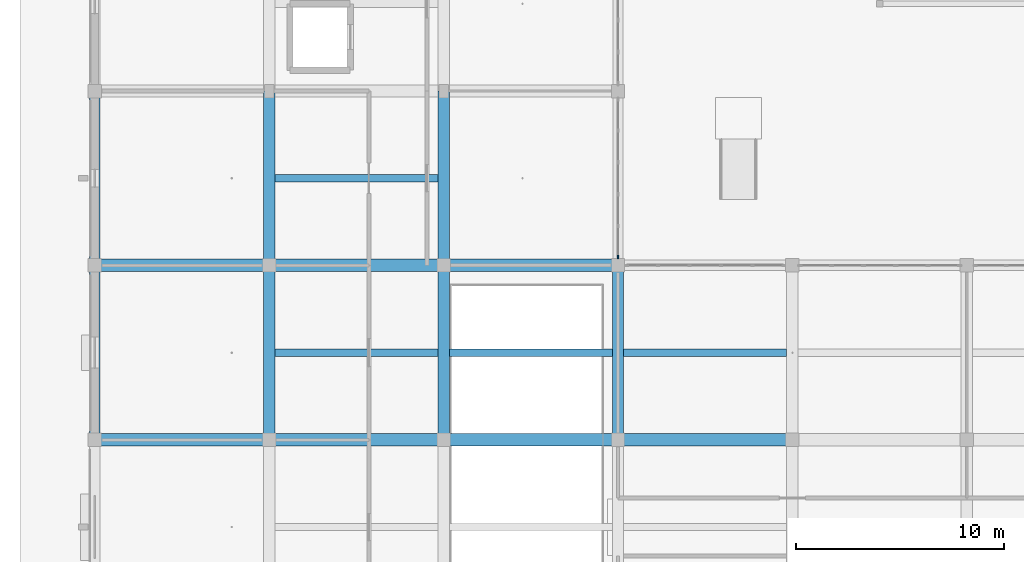
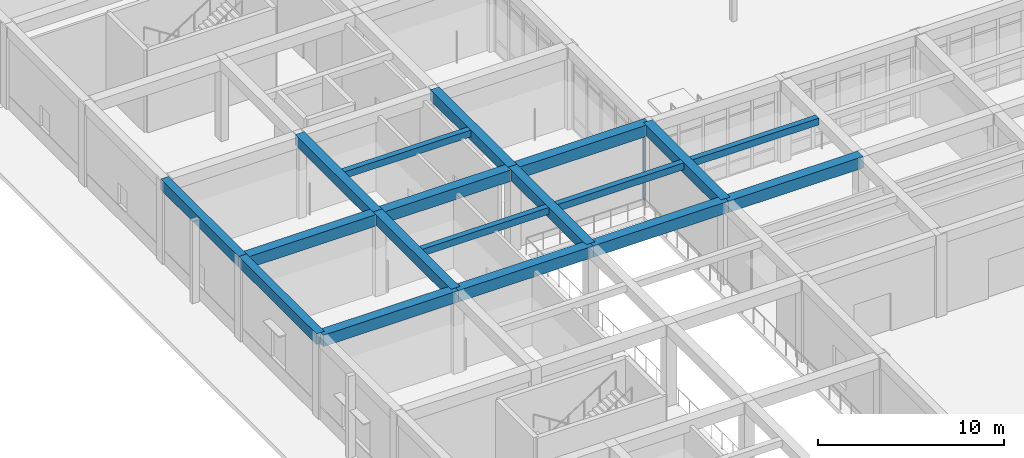
# One storey, part 12 of 167: 18 beams, 1 member, 1 element without a shape of its own.
"""IFC4 building model written with IfcOpenShell, lengths in metres."""

from ifc_helpers import new_model, si_unit, direction, frame, origin, origin_2d, place, context, subcontext, project, spatial, rectangle, extrude, material, material_profile, profile_set, type_object, element, aggregate, save


model = new_model("IFC4")

# Units and contexts
model_context = context("Model", 3, precision=1e-05, world=origin(), true_north=direction((0.0, 1.0)))
body_context = subcontext(model_context, "Body", "Model", "MODEL_VIEW")
ifc_project = project(units=[si_unit("LENGTHUNIT", "METRE"), si_unit("AREAUNIT", "SQUARE_METRE"), si_unit("VOLUMEUNIT", "CUBIC_METRE"), si_unit("PLANEANGLEUNIT", "RADIAN"), si_unit("MASSUNIT", "GRAM", prefix="KILO")], contexts=[model_context])

# Site, building, storey
site_placement = place(None, origin())
site = spatial("IfcSite", under=ifc_project, at=site_placement, CompositionType="ELEMENT")
building_placement = place(site_placement, origin())
building = spatial("IfcBuilding", under=site, at=building_placement, Name="Varncliffe General Hospital", CompositionType="ELEMENT")
storey_placement = place(building_placement, origin())
storey = spatial("IfcBuildingStorey", under=building, at=storey_placement, Name="L00", CompositionType="ELEMENT", Elevation=0.0)

# Beams
ifc_material_1 = material(Name="Concrete C35/45 (CSA A23.1 35 MPa)", Category="concrete")
ifc_material_profile_1 = material_profile(ifc_material_1, rectangle(XDim=0.60009765625, YDim=0.75, at=origin_2d()), Name="RC 600x750")
ifc_profile_set_1 = profile_set([ifc_material_profile_1], Name="Concrete C35/45 (CSA A23.1 35 MPa)")
beam_type_1 = type_object("IfcBeamType", Name="Beam B23 (Int RC 600x750)", PredefinedType="BEAM", material=ifc_profile_set_1)
beam_1_placement = place(storey_placement, frame((0.0, 32.39990234375, 5.02490234375), z_axis=(1.0, 0.0, 0.0), x_axis=(0.0, 1.0, 0.0)))
element("IfcBeam", 1, at=beam_1_placement, inside=storey, type_object=beam_type_1, Name="L00 Primary Beam B23-40", PredefinedType="BEAM", context=body_context, shape_type="SweptSolid", body=[
    extrude(rectangle(XDim=0.60009765625, YDim=0.75, at=origin_2d()), origin(), (0.0, 0.0, 1.0), 8.39990234375),
])
beam_2_placement = place(storey_placement, frame((8.39990234375, 32.39990234375, 5.02490234375), z_axis=(1.0, 0.0, 0.0), x_axis=(0.0, 1.0, 0.0)))
element("IfcBeam", 2, at=beam_2_placement, inside=storey, type_object=beam_type_1, Name="L00 Primary Beam B23-41", PredefinedType="BEAM", context=body_context, shape_type="SweptSolid", body=[
    extrude(rectangle(XDim=0.60009765625, YDim=0.75, at=origin_2d()), origin(), (0.0, 0.0, 1.0), 8.400146484375),
])
beam_3_placement = place(storey_placement, frame((16.800048828125, 32.39990234375, 5.02490234375), z_axis=(1.0, 0.0, 0.0), x_axis=(0.0, 1.0, 0.0)))
element("IfcBeam", 3, at=beam_3_placement, inside=storey, type_object=beam_type_1, Name="L00 Primary Beam B23-42", PredefinedType="BEAM", context=body_context, shape_type="SweptSolid", body=[
    extrude(rectangle(XDim=0.60009765625, YDim=0.75, at=origin_2d()), origin(), (0.0, 0.0, 1.0), 8.39990234375),
])
beam_4_placement = place(storey_placement, frame((25.199951171875, 32.39990234375, 5.02490234375), z_axis=(1.0, 0.0, 0.0), x_axis=(0.0, 1.0, 0.0)))
element("IfcBeam", 4, at=beam_4_placement, inside=storey, type_object=beam_type_1, Name="L00 Primary Beam B23-43", PredefinedType="BEAM", context=body_context, shape_type="SweptSolid", body=[
    extrude(rectangle(XDim=0.60009765625, YDim=0.75, at=origin_2d()), origin(), (0.0, 0.0, 1.0), 8.400146484375),
])
beam_5_placement = place(storey_placement, frame((0.0, 40.800048828125, 5.02490234375), z_axis=(1.0, 0.0, 0.0), x_axis=(0.0, 1.0, 0.0)))
element("IfcBeam", 5, at=beam_5_placement, inside=storey, type_object=beam_type_1, Name="L00 Primary Beam B23-53", PredefinedType="BEAM", context=body_context, shape_type="SweptSolid", body=[
    extrude(rectangle(XDim=0.60009765625, YDim=0.75, at=origin_2d()), origin(), (0.0, 0.0, 1.0), 8.39990234375),
])
beam_6_placement = place(storey_placement, frame((8.39990234375, 40.800048828125, 5.02490234375), z_axis=(1.0, 0.0, 0.0), x_axis=(0.0, 1.0, 0.0)))
element("IfcBeam", 6, at=beam_6_placement, inside=storey, type_object=beam_type_1, Name="L00 Primary Beam B23-54", PredefinedType="BEAM", context=body_context, shape_type="SweptSolid", body=[
    extrude(rectangle(XDim=0.60009765625, YDim=0.75, at=origin_2d()), origin(), (0.0, 0.0, 1.0), 8.400146484375),
])
beam_7_placement = place(storey_placement, frame((16.800048828125, 40.800048828125, 5.02490234375), z_axis=(1.0, 0.0, 0.0), x_axis=(0.0, 1.0, 0.0)))
element("IfcBeam", 7, at=beam_7_placement, inside=storey, type_object=beam_type_1, Name="L00 Primary Beam B23-55", PredefinedType="BEAM", context=body_context, shape_type="SweptSolid", body=[
    extrude(rectangle(XDim=0.60009765625, YDim=0.75, at=origin_2d()), origin(), (0.0, 0.0, 1.0), 8.39990234375),
])
ifc_material_profile_2 = material_profile(ifc_material_1, rectangle(XDim=0.550048828125, YDim=0.699951171875, at=origin_2d()), Name="RC 550x700")
ifc_profile_set_2 = profile_set([ifc_material_profile_2], Name="Concrete C35/45 (CSA A23.1 35 MPa)")
beam_type_2 = type_object("IfcBeamType", Name="Beam B35 (Int RC 550x700)", PredefinedType="BEAM", material=ifc_profile_set_2)
beam_8_placement = place(storey_placement, frame((8.39990234375, 32.39990234375, 5.050048828125), z_axis=(0.0, 1.0, 0.0), x_axis=(-1.0, 0.0, 0.0)))
element("IfcBeam", 8, at=beam_8_placement, inside=storey, type_object=beam_type_2, Name="L00 Primary Beam B35-279", PredefinedType="BEAM", context=body_context, shape_type="SweptSolid", body=[
    extrude(rectangle(XDim=0.550048828125, YDim=0.699951171875, at=origin_2d()), origin(), (0.0, 0.0, 1.0), 8.400146484375),
])
beam_9_placement = place(storey_placement, frame((8.39990234375, 40.800048828125, 5.050048828125), z_axis=(0.0, 1.0, 0.0), x_axis=(-1.0, 0.0, 0.0)))
element("IfcBeam", 9, at=beam_9_placement, inside=storey, type_object=beam_type_2, Name="L00 Primary Beam B35-280", PredefinedType="BEAM", context=body_context, shape_type="SweptSolid", body=[
    extrude(rectangle(XDim=0.550048828125, YDim=0.699951171875, at=origin_2d()), origin(), (0.0, 0.0, 1.0), 8.39990234375),
])
beam_10_placement = place(storey_placement, frame((16.800048828125, 32.39990234375, 5.050048828125), z_axis=(0.0, 1.0, 0.0), x_axis=(-1.0, 0.0, 0.0)))
element("IfcBeam", 10, at=beam_10_placement, inside=storey, type_object=beam_type_2, Name="L00 Primary Beam B35-295", PredefinedType="BEAM", context=body_context, shape_type="SweptSolid", body=[
    extrude(rectangle(XDim=0.550048828125, YDim=0.699951171875, at=origin_2d()), origin(), (0.0, 0.0, 1.0), 8.400146484375),
])
beam_11_placement = place(storey_placement, frame((16.800048828125, 40.800048828125, 5.050048828125), z_axis=(0.0, 1.0, 0.0), x_axis=(-1.0, 0.0, 0.0)))
element("IfcBeam", 11, at=beam_11_placement, inside=storey, type_object=beam_type_2, Name="L00 Primary Beam B35-296", PredefinedType="BEAM", context=body_context, shape_type="SweptSolid", body=[
    extrude(rectangle(XDim=0.550048828125, YDim=0.699951171875, at=origin_2d()), origin(), (0.0, 0.0, 1.0), 8.39990234375),
])
beam_12_placement = place(storey_placement, frame((25.199951171875, 32.39990234375, 5.050048828125), z_axis=(0.0, 1.0, 0.0), x_axis=(-1.0, 0.0, 0.0)))
element("IfcBeam", 12, at=beam_12_placement, inside=storey, type_object=beam_type_2, Name="L00 Primary Beam B35-312", PredefinedType="BEAM", context=body_context, shape_type="SweptSolid", body=[
    extrude(rectangle(XDim=0.550048828125, YDim=0.699951171875, at=origin_2d()), origin(), (0.0, 0.0, 1.0), 8.400146484375),
])

# Curtain wall, member
ifc_material_2 = material(Name="Triple low-E argon insulated vision glazing", Category="glass")
curtain_wall_type = type_object("IfcCurtainWallType", Name="Unitised Glazed Curtain Wall CW15 (7674x4640)", PredefinedType="USERDEFINED", material=ifc_material_2)
curtain_wall_placement = place(storey_placement, origin())
curtain_wall = element("IfcCurtainWall", 13, at=curtain_wall_placement, inside=storey, type_object=curtain_wall_type, Name="L00 Glazed Curtain Wall CW15-16", ObjectType="GLAZED CURTAIN WALL", PredefinedType="USERDEFINED")
ifc_material_3 = material(Name="Dark bronze thermally broken aluminium framing", Category="aluminium")
ifc_material_profile_3 = material_profile(ifc_material_3, rectangle(XDim=0.074951171875, YDim=0.179931640625, at=origin_2d()), Name="ALU 75x180")
ifc_profile_set_3 = profile_set([ifc_material_profile_3], Name="Dark bronze thermally broken aluminium framing")
member_type = type_object("IfcMemberType", Name="Curtain Wall Mullion CM44 (ALU 75x180)", PredefinedType="MULLION", material=ifc_profile_set_3)
member_placement = place(storey_placement, frame((25.199951171875, 41.200439453125, 0.0), z_axis=(0.0, 0.0, 1.0), x_axis=(1.0, 0.0, 0.0)))
member = element("IfcMember", 14, at=member_placement, type_object=member_type, Name="CW15 mullion 6", PredefinedType="MULLION", context=body_context, shape_type="SweptSolid", body=[
    extrude(rectangle(XDim=0.074951171875, YDim=0.179931640625, at=origin_2d()), origin(), (0.0, 0.0, 1.0), 4.639892578125),
])
aggregate(curtain_wall, [member])

# Beams
ifc_material_profile_4 = material_profile(ifc_material_1, rectangle(XDim=0.35009765625, YDim=0.449951171875, at=origin_2d()), Name="RC 350x450")
ifc_profile_set_4 = profile_set([ifc_material_profile_4], Name="Concrete C35/45 (CSA A23.1 35 MPa)")
beam_type_3 = type_object("IfcBeamType", Name="Joist J55 (Int RC 350x450)", PredefinedType="JOIST", material=ifc_profile_set_4)
for number, where, z_axis, x_axis, name in (
    (15, (8.673095703125, 36.60009765625, 5.175048828125), (1.0, 0.0, 0.0), (0.0, 1.0, 0.0), "L00 Secondary Floor Rib J55-3"),
    (16, (8.673095703125, 45.0, 5.175048828125), (1.0, 0.0, 0.0), (0.0, 1.0, 0.0), "L00 Secondary Floor Rib J55-4"),
    (17, (17.072998046875, 36.60009765625, 5.175048828125), (1.0, 0.0, 0.0), (0.0, 1.0, 0.0), "L00 Secondary Floor Rib J55-11"),
    (18, (25.472900390625, 36.60009765625, 5.175048828125), (1.0, 0.0, 0.0), (0.0, 1.0, 0.0), "L00 Secondary Floor Rib J55-15"),
):
    element("IfcBeam", number, at=place(storey_placement, frame(where, z_axis=z_axis, x_axis=x_axis)), inside=storey, type_object=beam_type_3, Name=name, PredefinedType="JOIST", context=body_context, shape_type="SweptSolid", body=[
        extrude(rectangle(XDim=0.35009765625, YDim=0.449951171875, at=origin_2d()), origin(), (0.0, 0.0, 1.0), 7.85400390625),
    ])
ifc_material_profile_5 = material_profile(ifc_material_1, rectangle(XDim=0.5, YDim=0.699951171875, at=origin_2d()), Name="RC 500x700")
ifc_profile_set_5 = profile_set([ifc_material_profile_5], Name="Concrete C35/45 (CSA A23.1 35 MPa)")
beam_type_4 = type_object("IfcBeamType", Name="Spandrel SP19 (Ext RC 500x700)", PredefinedType="SPANDREL", material=ifc_profile_set_5)
beam_13_placement = place(storey_placement, frame((0.0, 32.39990234375, 5.050048828125), z_axis=(0.0, 1.0, 0.0), x_axis=(-1.0, 0.0, 0.0)))
element("IfcBeam", 19, at=beam_13_placement, inside=storey, type_object=beam_type_4, Name="L00 Spandrel Beam SP19-263", PredefinedType="SPANDREL", context=body_context, shape_type="SweptSolid", body=[
    extrude(rectangle(XDim=0.5, YDim=0.699951171875, at=origin_2d()), origin(), (0.0, 0.0, 1.0), 8.400146484375),
])
beam_14_placement = place(storey_placement, frame((0.0, 40.800048828125, 5.050048828125), z_axis=(0.0, 1.0, 0.0), x_axis=(-1.0, 0.0, 0.0)))
element("IfcBeam", 20, at=beam_14_placement, inside=storey, type_object=beam_type_4, Name="L00 Spandrel Beam SP19-264", PredefinedType="SPANDREL", context=body_context, shape_type="SweptSolid", body=[
    extrude(rectangle(XDim=0.5, YDim=0.699951171875, at=origin_2d()), origin(), (0.0, 0.0, 1.0), 8.39990234375),
])

save(model, "model.ifc")
